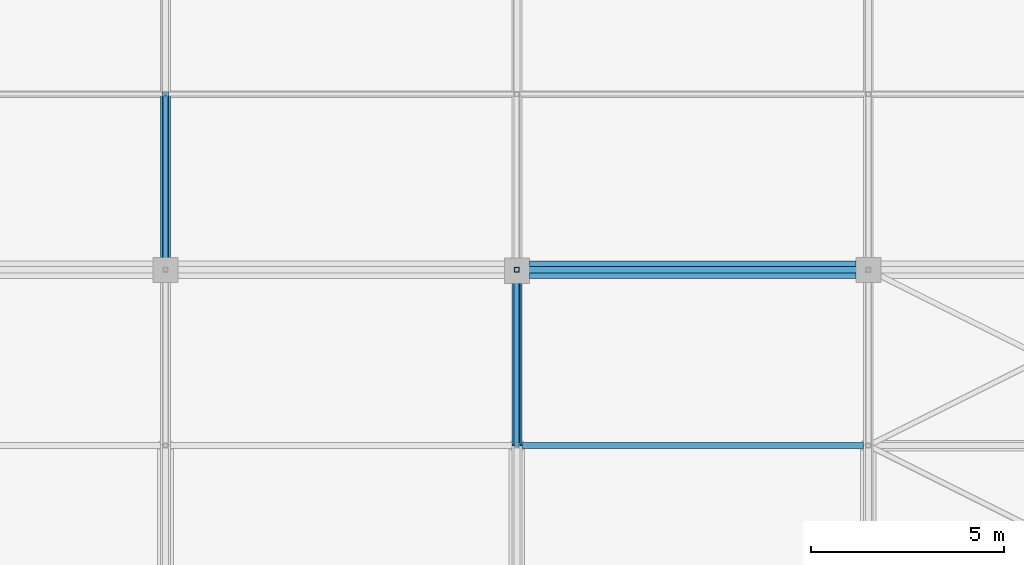
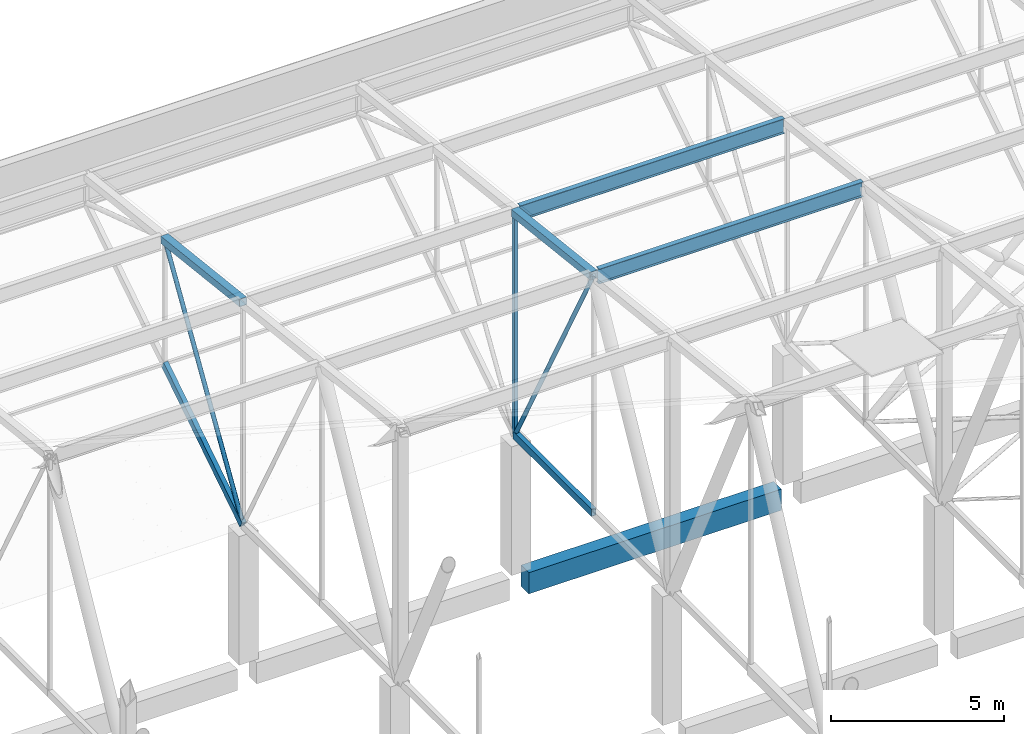
# One storey, part 308 of 500: 9 members, 1 beam.
"""IFC4 building model written with IfcOpenShell, lengths in metres."""

from ifc_helpers import new_model, si_unit, direction, frame, origin, origin_2d, place, context, subcontext, project, spatial, rectangle, hollow_rectangle, hollow_circle, i_section, extrude, material, material_profile, profile_set, type_object, element, save


model = new_model("IFC4")

# Units and contexts
model_context = context("Model", 3, precision=1e-05, world=origin(), true_north=direction((0.0, 1.0)))
body_context = subcontext(model_context, "Body", "Model", "MODEL_VIEW")
ifc_project = project(units=[si_unit("LENGTHUNIT", "METRE"), si_unit("AREAUNIT", "SQUARE_METRE"), si_unit("VOLUMEUNIT", "CUBIC_METRE"), si_unit("PLANEANGLEUNIT", "RADIAN"), si_unit("MASSUNIT", "GRAM", prefix="KILO")], contexts=[model_context])

# Site, building, storey
site_placement = place(None, origin())
site = spatial("IfcSite", under=ifc_project, at=site_placement, CompositionType="ELEMENT")
building_placement = place(site_placement, origin())
building = spatial("IfcBuilding", under=site, at=building_placement, Name="Shirokan Park Arena", CompositionType="ELEMENT")
storey_placement = place(building_placement, frame((0.0, 0.0, 29.1201171875)))
storey = spatial("IfcBuildingStorey", under=building, at=storey_placement, Name="L06", CompositionType="ELEMENT", Elevation=29.1201171875)

# Members
ifc_material_1 = material(Name="Steel ASTM A500 Grade C", Category="steel")
ifc_material_profile_1 = material_profile(ifc_material_1, hollow_rectangle(XDim=0.152099609375, YDim=0.25390625, WallThickness=0.009521484375, at=origin_2d()), Name="HSS254X152.4X9.5")
ifc_profile_set_1 = profile_set([ifc_material_profile_1], Name="Steel ASTM A500 Grade C")
member_type_1 = type_object("IfcMemberType", Name="Bottom chord HSS254X152.4X9.5", PredefinedType="CHORD", material=ifc_profile_set_1)
member_1_placement = place(storey_placement, frame((72.800048828125, 109.199951171875, 4.677001953125), z_axis=(0.0, 0.840971691661, 0.541079119746), x_axis=(-1.0, 0.0, 0.0)))
element("IfcMember", 1, at=member_1_placement, inside=storey, type_object=member_type_1, Name="Truss T09 bottom chord 27", PredefinedType="CHORD", context=body_context, shape_type="SweptSolid", body=[
    extrude(hollow_rectangle(XDim=0.152099609375, YDim=0.25390625, WallThickness=0.009521484375, at=origin_2d()), origin(), (0.0, 0.0, 1.0), 5.410400390625),
])
member_2_placement = place(storey_placement, frame((81.89990234375, 104.64990234375, 4.677001953125), z_axis=(0.0, 1.0, 0.0), x_axis=(-1.0, 0.0, 0.0)))
element("IfcMember", 2, at=member_2_placement, inside=storey, type_object=member_type_1, Name="Truss T10 bottom chord 26", PredefinedType="CHORD", context=body_context, shape_type="SweptSolid", body=[
    extrude(hollow_rectangle(XDim=0.152099609375, YDim=0.25390625, WallThickness=0.009521484375, at=origin_2d()), origin(), (0.0, 0.0, 1.0), 4.550048828125),
])
ifc_material_2 = material(Name="Steel ASTM A992", Category="steel")
ifc_material_profile_2 = material_profile(ifc_material_2, i_section(OverallWidth=0.166015625, OverallDepth=0.528076171875, WebThickness=0.009765625, FlangeThickness=0.013671875, at=origin_2d()), Name="W530X74")
ifc_profile_set_2 = profile_set([ifc_material_profile_2], Name="Steel ASTM A992")
member_type_2 = type_object("IfcMemberType", Name="Purlin W530X74", PredefinedType="PURLIN", material=ifc_profile_set_2)
for number, where, z_axis, x_axis, name in (
    (3, (82.027099609375, 104.64990234375, 13.005859375), (1.0, 0.0, 0.0), (0.0, 1.0, 0.0), "Purlin 26 bay 10"),
    (4, (82.027099609375, 109.199951171875, 12.48583984375), (1.0, 0.0, 0.0), (0.0, 1.0, 0.0), "Purlin 27 bay 10"),
):
    element("IfcMember", number, at=place(storey_placement, frame(where, z_axis=z_axis, x_axis=x_axis)), inside=storey, type_object=member_type_2, Name=name, PredefinedType="PURLIN", context=body_context, shape_type="SweptSolid", body=[
        extrude(i_section(OverallWidth=0.166015625, OverallDepth=0.528076171875, WebThickness=0.009765625, FlangeThickness=0.013671875, at=origin_2d()), origin(), (0.0, 0.0, 1.0), 8.845947265625),
    ])

# Beam
ifc_material_3 = material(Name="Concrete C35", Category="concrete")
ifc_material_profile_3 = material_profile(ifc_material_3, rectangle(XDim=0.449951171875, YDim=0.75, at=origin_2d()), Name="450x750")
ifc_profile_set_3 = profile_set([ifc_material_profile_3], Name="Concrete C35")
beam_type = type_object("IfcBeamType", Name="RC girder 450x750", PredefinedType="BEAM", material=ifc_profile_set_3)
beam_placement = place(storey_placement, frame((82.22509765625, 109.199951171875, -0.5751953125), z_axis=(1.0, 0.0, 0.0), x_axis=(0.0, 1.0, 0.0)))
element("IfcBeam", 5, at=beam_placement, inside=storey, type_object=beam_type, Name="Girder 10N-11N L06", PredefinedType="BEAM", context=body_context, shape_type="SweptSolid", body=[
    extrude(rectangle(XDim=0.449951171875, YDim=0.75, at=origin_2d()), origin(), (0.0, 0.0, 1.0), 8.44970703125),
])

# Members
ifc_material_profile_4 = material_profile(ifc_material_1, hollow_rectangle(XDim=0.25390625, YDim=0.25390625, WallThickness=0.009521484375, at=origin_2d()), Name="HSS254X254X9.5")
ifc_profile_set_4 = profile_set([ifc_material_profile_4], Name="Steel ASTM A500 Grade C")
member_type_3 = type_object("IfcMemberType", Name="Top chord HSS254X254X9.5", PredefinedType="CHORD", material=ifc_profile_set_4)
for number, where, z_axis, x_axis, name in (
    (6, (72.800048828125, 109.199951171875, 12.54150390625), (0.0, 0.993532328996, -0.113549598152), (-1.0, 0.0, 0.0), "Truss T09 top chord 27"),
    (7, (81.89990234375, 104.64990234375, 13.061279296875), (0.0, 0.993538341779, -0.113496975353), (-1.0, 0.0, 0.0), "Truss T10 top chord 26"),
):
    element("IfcMember", number, at=place(storey_placement, frame(where, z_axis=z_axis, x_axis=x_axis)), inside=storey, type_object=member_type_3, Name=name, PredefinedType="CHORD", context=body_context, shape_type="SweptSolid", body=[
        extrude(hollow_rectangle(XDim=0.25390625, YDim=0.25390625, WallThickness=0.009521484375, at=origin_2d()), origin(), (0.0, 0.0, 1.0), 4.57958984375),
    ])
ifc_material_profile_5 = material_profile(ifc_material_1, hollow_circle(Radius=0.070556640625, WallThickness=0.006591796875, at=origin_2d()), Name="HSS141.3X6.6")
ifc_profile_set_5 = profile_set([ifc_material_profile_5], Name="Steel ASTM A500 Grade C")
member_type_4 = type_object("IfcMemberType", Name="Truss diagonal HSS141.3X6.6", PredefinedType="BRACE", material=ifc_profile_set_5)
member_3_placement = place(storey_placement, frame((72.800048828125, 109.199951171875, 4.677001953125), z_axis=(0.0, 0.526644483383, 0.850085635758), x_axis=(-1.0, 0.0, 0.0)))
element("IfcMember", 8, at=member_3_placement, inside=storey, type_object=member_type_4, Name="Truss T09 diagonal 27", PredefinedType="BRACE", context=body_context, shape_type="SweptSolid", body=[
    extrude(hollow_circle(Radius=0.070556640625, WallThickness=0.006591796875, at=origin_2d()), origin(), (0.0, 0.0, 1.0), 8.6396484375),
])
member_4_placement = place(storey_placement, frame((81.89990234375, 104.64990234375, 13.061279296875), z_axis=(0.0, 0.476977206611, -0.878915663971), x_axis=(-1.0, 0.0, 0.0)))
element("IfcMember", 9, at=member_4_placement, inside=storey, type_object=member_type_4, Name="Truss T10 diagonal 26", PredefinedType="BRACE", context=body_context, shape_type="SweptSolid", body=[
    extrude(hollow_circle(Radius=0.070556640625, WallThickness=0.006591796875, at=origin_2d()), origin(), (0.0, 0.0, 1.0), 9.539306640625),
])
ifc_material_profile_6 = material_profile(ifc_material_1, hollow_rectangle(XDim=0.126953125, YDim=0.126953125, WallThickness=0.0126953125, at=origin_2d()), Name="HSS127X127X12.7")
ifc_profile_set_6 = profile_set([ifc_material_profile_6], Name="Steel ASTM A500 Grade C")
member_type_5 = type_object("IfcMemberType", Name="Truss post HSS127X127X12.7", PredefinedType="POST", material=ifc_profile_set_6)
member_5_placement = place(storey_placement, frame((81.89990234375, 109.199951171875, 4.677001953125), z_axis=(0.0, 0.0, 1.0), x_axis=(1.0, 0.0, 0.0)))
element("IfcMember", 10, at=member_5_placement, inside=storey, type_object=member_type_5, Name="Truss T10 post 27", PredefinedType="POST", context=body_context, shape_type="SweptSolid", body=[
    extrude(hollow_rectangle(XDim=0.126953125, YDim=0.126953125, WallThickness=0.0126953125, at=origin_2d()), origin(), (0.0, 0.0, 1.0), 7.864501953125),
])

save(model, "model.ifc")
